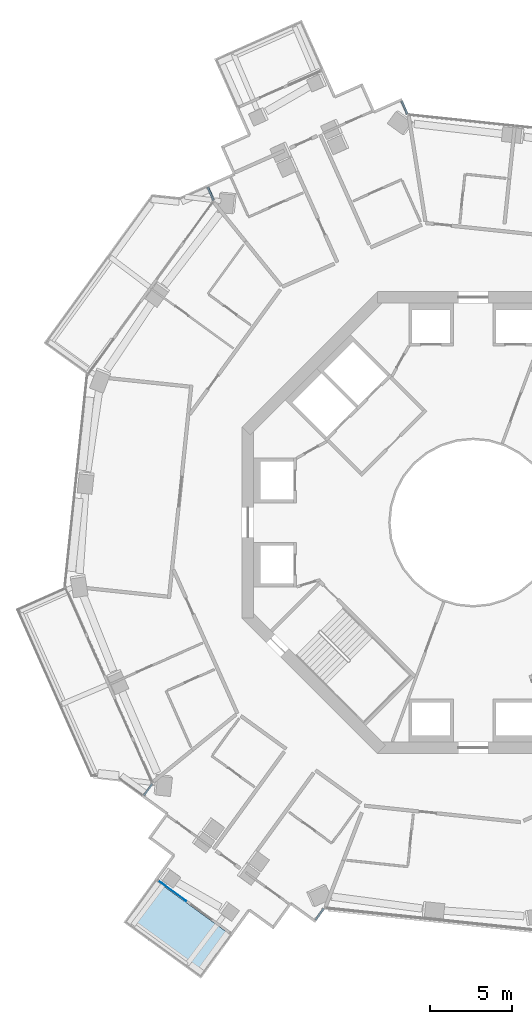
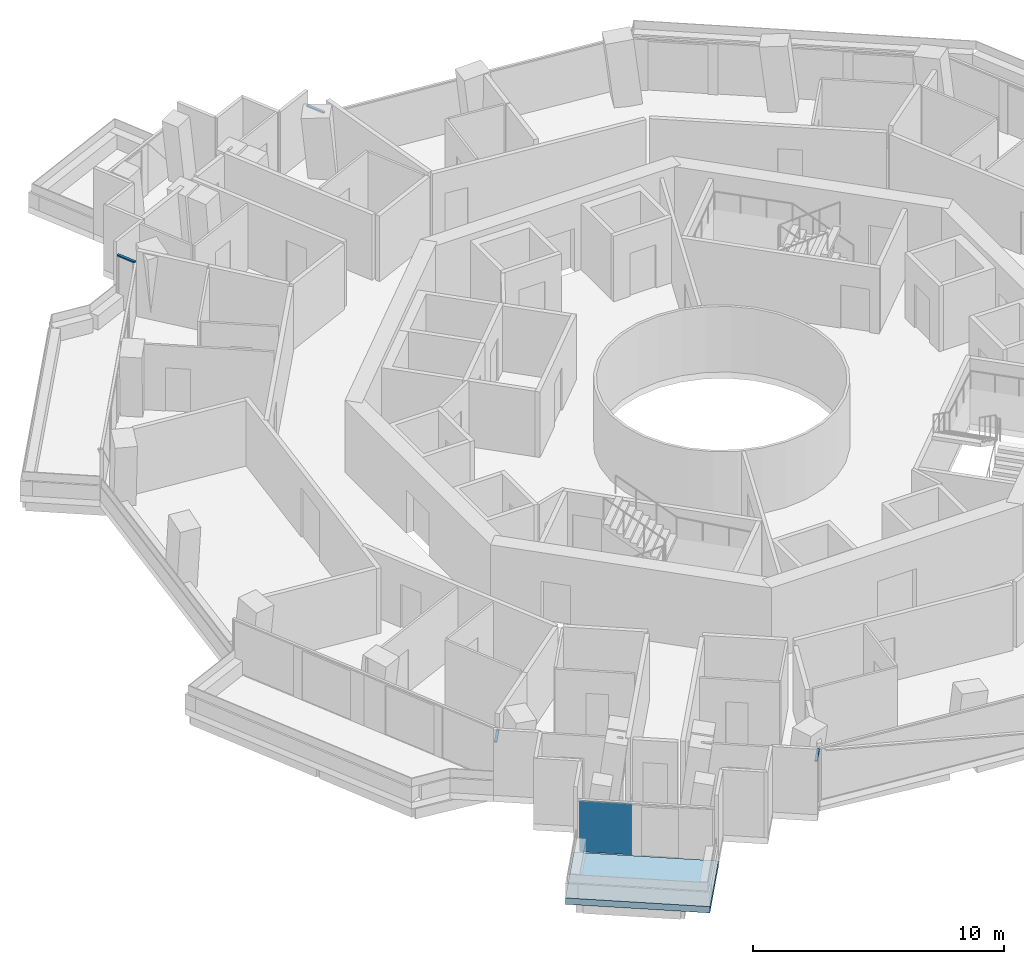
# One storey, part 10 of 23: 4 members, 1 plate, 1 slab, 5 elements without a shape of their own.
"""IFC4 building model written with IfcOpenShell, lengths in metres."""

from ifc_helpers import new_model, si_unit, direction, frame, origin, origin_2d, place, context, subcontext, project, spatial, polyline, rectangle, outline, extrude, material, layer, layer_set, material_profile, profile_set, type_object, element, aggregate, save


model = new_model("IFC4")

# Units and contexts
model_context = context("Model", 3, precision=1e-05, world=origin(), true_north=direction((0.0, 1.0)))
body_context = subcontext(model_context, "Body", "Model", "MODEL_VIEW")
ifc_project = project(units=[si_unit("LENGTHUNIT", "METRE"), si_unit("AREAUNIT", "SQUARE_METRE"), si_unit("VOLUMEUNIT", "CUBIC_METRE"), si_unit("PLANEANGLEUNIT", "RADIAN"), si_unit("MASSUNIT", "GRAM", prefix="KILO")], contexts=[model_context])

# Site, building, storey
site_placement = place(None, origin())
site = spatial("IfcSite", under=ifc_project, at=site_placement, CompositionType="ELEMENT")
building_placement = place(site_placement, origin())
building = spatial("IfcBuilding", under=site, at=building_placement, Name="Verdalira Terraces Hotel", CompositionType="ELEMENT")
storey_placement = place(building_placement, frame((0.0, 0.0, 133.0)))
storey = spatial("IfcBuildingStorey", under=building, at=storey_placement, Name="L31", CompositionType="ELEMENT", Elevation=133.0)

# Curtain wall, member
ifc_material_1 = material(Name="Clear glass", Category="glass")
ifc_layer_1 = layer(ifc_material_1, 0.14990234375)
ifc_layer_set_1 = layer_set([ifc_layer_1], Name="CW2 curtain wall")
curtain_wall_type_1 = type_object("IfcCurtainWallType", Name="CW2 curtain wall", PredefinedType="NOTDEFINED", material=ifc_layer_set_1)
curtain_wall_1_placement = place(storey_placement, origin())
curtain_wall_1 = element("IfcCurtainWall", 1, at=curtain_wall_1_placement, inside=storey, type_object=curtain_wall_type_1, Name="CW2 curtain wall L31 edge 0", PredefinedType="NOTDEFINED")
ifc_material_2 = material(Name="Terracotta frame", Category="masonry")
ifc_material_profile = material_profile(ifc_material_2, rectangle(XDim=0.11499, YDim=0.064941, at=origin_2d()), Name="TR 65x115")
ifc_profile_set = profile_set([ifc_material_profile], Name="Terracotta frame")
member_type = type_object("IfcMemberType", Name="CW2 transom 65x115", PredefinedType="USERDEFINED", material=ifc_profile_set)
member_1_placement = place(storey_placement, frame((-3.997314, 24.774414, 2.507568), z_axis=(-0.406778066, 0.913527014, 0.0), x_axis=(-0.913527014, -0.406778066, 0.0)))
member_1 = element("IfcMember", 2, at=member_1_placement, type_object=member_type, Name="CW2 transom", ObjectType="TRANSOM", PredefinedType="USERDEFINED", context=body_context, shape_type="SweptSolid", body=[
    extrude(rectangle(XDim=0.11499, YDim=0.064941, at=origin_2d()), origin(), (0.0, 0.0, 1.0), 0.849854),
])
aggregate(curtain_wall_1, [member_1])

curtain_wall_2_placement = place(storey_placement, origin())
curtain_wall_2 = element("IfcCurtainWall", 3, at=curtain_wall_2_placement, inside=storey, type_object=curtain_wall_type_1, Name="CW2 curtain wall L31 edge 10", PredefinedType="NOTDEFINED")
member_2_placement = place(storey_placement, frame((-16.082031, 20.324219, 2.507568), z_axis=(0.406778066, -0.913527014, 0.0), x_axis=(0.913527014, 0.406778066, 0.0)))
member_2 = element("IfcMember", 4, at=member_2_placement, type_object=member_type, Name="CW2 transom", ObjectType="TRANSOM", PredefinedType="USERDEFINED", context=body_context, shape_type="SweptSolid", body=[
    extrude(rectangle(XDim=0.11499, YDim=0.064941, at=origin_2d()), origin(), (0.0, 0.0, 1.0), 0.849854),
])
aggregate(curtain_wall_2, [member_2])

curtain_wall_3_placement = place(storey_placement, origin())
curtain_wall_3 = element("IfcCurtainWall", 5, at=curtain_wall_3_placement, inside=storey, type_object=curtain_wall_type_1, Name="CW2 curtain wall L31 edge 14", PredefinedType="NOTDEFINED")
member_3_placement = place(storey_placement, frame((-19.456543, -15.848877, 2.507568), z_axis=(-0.58784722, -0.808971968, 0.0), x_axis=(0.808971968, -0.58784722, 0.0)))
member_3 = element("IfcMember", 6, at=member_3_placement, type_object=member_type, Name="CW2 transom", ObjectType="TRANSOM", PredefinedType="USERDEFINED", context=body_context, shape_type="SweptSolid", body=[
    extrude(rectangle(XDim=0.11499, YDim=0.064941, at=origin_2d()), origin(), (0.0, 0.0, 1.0), 0.850098),
])
aggregate(curtain_wall_3, [member_3])

curtain_wall_4_placement = place(storey_placement, origin())
curtain_wall_4 = element("IfcCurtainWall", 7, at=curtain_wall_4_placement, inside=storey, type_object=curtain_wall_type_1, Name="CW2 curtain wall L31 edge 24", PredefinedType="NOTDEFINED")
member_4_placement = place(storey_placement, frame((-9.560303, -24.0896, 2.507568), z_axis=(0.587659235, 0.809108536, 0.0), x_axis=(-0.809108536, 0.587659235, 0.0)))
member_4 = element("IfcMember", 8, at=member_4_placement, type_object=member_type, Name="CW2 transom", ObjectType="TRANSOM", PredefinedType="USERDEFINED", context=body_context, shape_type="SweptSolid", body=[
    extrude(rectangle(XDim=0.11499, YDim=0.064941, at=origin_2d()), origin(), (0.0, 0.0, 1.0), 0.850098),
])
aggregate(curtain_wall_4, [member_4])

# Slab
ifc_material_3 = material(Name="Precast concrete C40/50", Category="concrete")
ifc_layer_2 = layer(ifc_material_3, 0.31005859375)
ifc_layer_set_2 = layer_set([ifc_layer_2], Name="Balcony deck 310")
slab_type = type_object("IfcSlabType", Name="Balcony deck 310", PredefinedType="FLOOR", material=ifc_layer_set_2)
slab_placement = place(storey_placement, frame((0.0, 0.0, -0.310059)))
element("IfcSlab", 9, at=slab_placement, inside=storey, type_object=slab_type, Name="Balcony deck", PredefinedType="FLOOR", context=body_context, shape_type="SweptSolid", body=[
    extrude(outline(polyline([(-16.497314, -27.640381), (-14.616455, -25.051514), (-19.308594, -21.642334), (-21.189453, -24.231201), (-16.497314, -27.640381)])), origin(), (0.0, 0.0, 1.0), 0.310059),
])

# Curtain wall, plate
ifc_material_4 = material(Name="Clear glass", Category="glass")
ifc_layer_3 = layer(ifc_material_4, 0.14990234375)
ifc_layer_set_3 = layer_set([ifc_layer_3], Name="CW3 curtain wall")
curtain_wall_type_2 = type_object("IfcCurtainWallType", Name="CW3 curtain wall", PredefinedType="NOTDEFINED", material=ifc_layer_set_3)
curtain_wall_5_placement = place(storey_placement, origin())
curtain_wall_5 = element("IfcCurtainWall", 10, at=curtain_wall_5_placement, inside=storey, type_object=curtain_wall_type_2, Name="CW3 curtain wall L31 edge 19", PredefinedType="NOTDEFINED")
ifc_material_5 = material(Name="Clear glass", Category="glass")
ifc_layer_4 = layer(ifc_material_5, 0.035888671875)
ifc_layer_set_4 = layer_set([ifc_layer_4], Name="CW3 glass unit 36")
plate_type = type_object("IfcPlateType", Name="CW3 glass unit 36", PredefinedType="CURTAIN_PANEL", material=ifc_layer_set_4)
plate_placement = place(storey_placement, frame((-18.237061, -22.328125, 0.0), z_axis=(0.0, 0.0, 1.0), x_axis=(0.809016994, -0.587785252, 0.0)))
plate = element("IfcPlate", 11, at=plate_placement, type_object=plate_type, Name="CW3 glass unit", PredefinedType="CURTAIN_PANEL", context=body_context, shape_type="SweptSolid", body=[
    extrude(rectangle(XDim=2.080078, YDim=0.035889, at=origin_2d()), origin(), (0.0, 0.0, 1.0), 2.475098),
])
aggregate(curtain_wall_5, [plate])

save(model, "model.ifc")
